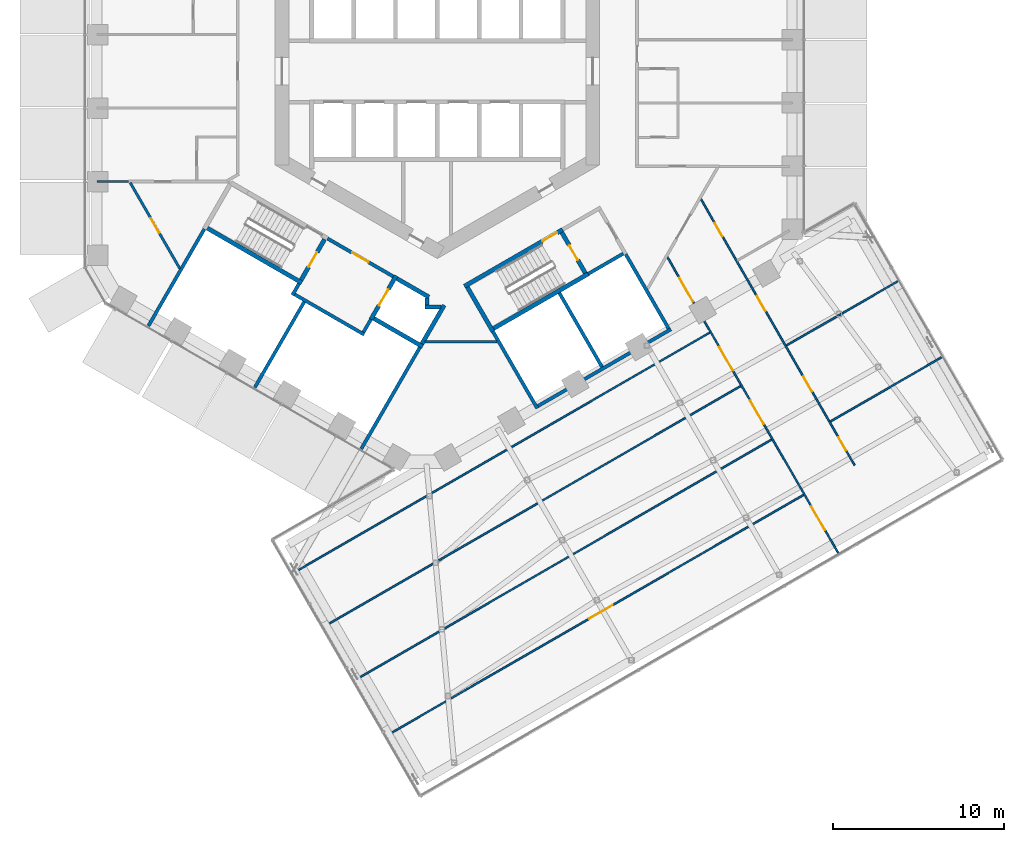
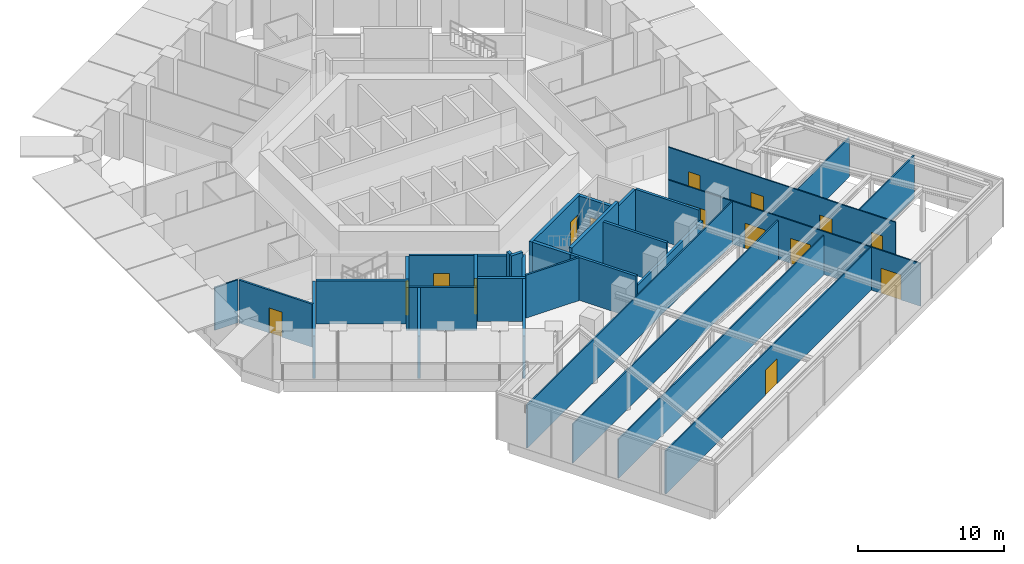
# One storey, part 17 of 28: 35 walls, 15 doors, 15 openings.
"""IFC4 building model written with IfcOpenShell, lengths in metres."""

from ifc_helpers import new_model, si_unit, direction, frame, frame_2d, origin, place, context, subcontext, project, spatial, rectangle, extrude, material, layer, layer_set, type_object, element, fill, save


model = new_model("IFC4")

# Units and contexts
model_context = context("Model", 3, precision=1e-05, world=origin(), true_north=direction((0.0, 1.0)))
body_context = subcontext(model_context, "Body", "Model", "MODEL_VIEW")
ifc_project = project(units=[si_unit("LENGTHUNIT", "METRE"), si_unit("AREAUNIT", "SQUARE_METRE"), si_unit("VOLUMEUNIT", "CUBIC_METRE"), si_unit("PLANEANGLEUNIT", "RADIAN"), si_unit("MASSUNIT", "GRAM", prefix="KILO")], contexts=[model_context])

# Site, building, storey
site_placement = place(None, origin())
site = spatial("IfcSite", under=ifc_project, at=site_placement, CompositionType="ELEMENT")
building_placement = place(site_placement, origin())
building = spatial("IfcBuilding", under=site, at=building_placement, Name="Ayvan Gate Tower", CompositionType="ELEMENT")
storey_placement = place(building_placement, frame((0.0, 0.0, 74.300048828125)))
storey = spatial("IfcBuildingStorey", under=building, at=storey_placement, Name="L19", CompositionType="ELEMENT", Elevation=74.300048828125)

# Wall, opening, door
ifc_material_1 = material(Name="Plasterboard on steel stud", Category="steel")
ifc_layer_1 = layer(ifc_material_1, 0.14990234375)
ifc_layer_set_1 = layer_set([ifc_layer_1], Name="Plasterboard on steel stud")
wall_type_1 = type_object("IfcWallType", Name="WT-CORR-150", PredefinedType="PARTITIONING", material=ifc_layer_set_1)
wall_1_placement = place(storey_placement, frame((-15.086669921875, -11.5576171875, 0.0), z_axis=(0.0, 0.0, 1.0), x_axis=(-0.499958648831, 0.866049276577, 0.0)))
wall_1 = element("IfcWall", 1, at=wall_1_placement, inside=storey, type_object=wall_type_1, Name="IW-L19-006", PredefinedType="PARTITIONING", context=body_context, shape_type="SweptSolid", body=[
    extrude(rectangle(XDim=5.81591796875, YDim=0.14990234375, at=frame_2d((2.907958984375, 0.0))), origin(), (0.0, 0.0, 1.0), 3.599853515625),
])
opening_1_placement = place(wall_1_placement, frame((2.407958984375, 0.0, 0.0)))
opening_1 = element("IfcOpeningElement", 2, at=opening_1_placement, cuts=wall_1, Name="Opening L19-D31", PredefinedType="OPENING", context=body_context, shape_type="SweptSolid", body=[
    extrude(rectangle(XDim=1.0, YDim=2.10009765625, at=frame_2d((0.5, 1.050048828125))), frame((0.0, 0.0849609375, 0.0), z_axis=(0.0, -1.0, 0.0), x_axis=(1.0, 0.0, 0.0)), (0.0, 0.0, 1.0), 0.169921875),
])
ifc_material_2 = material(Name="Timber door leaf", Category="wood")
door_type_1 = type_object("IfcDoorType", Name="DT-1000", OperationType="NOTDEFINED", PredefinedType="DOOR", material=ifc_material_2)
door_1_placement = place(opening_1_placement, origin())
door_1 = element("IfcDoor", 3, at=door_1_placement, inside=storey, type_object=door_type_1, Name="ID-L19-031", OperationType="SINGLE_SWING_RIGHT", OverallHeight=2.10009765625, OverallWidth=1.0, PredefinedType="DOOR", context=body_context, shape_type="SweptSolid", body=[
    extrude(rectangle(XDim=1.0, YDim=2.10009765625, at=frame_2d((0.5, 1.050048828125))), frame((0.0, 0.02490234375, 0.0), z_axis=(0.0, -1.0, 0.0), x_axis=(1.0, 0.0, 0.0)), (0.0, 0.0, 1.0), 0.050048828125),
])
fill(opening_1, door_1)

# Walls
wall_2_placement = place(storey_placement, frame((3.5048828125, -15.843994140625, 0.0), z_axis=(0.0, 0.0, 1.0), x_axis=(-1.0, 0.0, 0.0)))
element("IfcWall", 4, at=wall_2_placement, inside=storey, type_object=wall_type_1, Name="IW-L19-081", PredefinedType="PARTITIONING", context=body_context, shape_type="SweptSolid", body=[
    extrude(rectangle(XDim=4.213623046875, YDim=0.14990234375, at=frame_2d((2.10693359375, 0.0))), origin(), (0.0, 0.0, 1.0), 3.599853515625),
])
ifc_layer_2 = layer(ifc_material_1, 0.10009765625)
ifc_layer_set_2 = layer_set([ifc_layer_2], Name="Plasterboard on steel stud")
wall_type_2 = type_object("IfcWallType", Name="WT-PART-100", PredefinedType="PARTITIONING", material=ifc_layer_set_2)
wall_3_placement = place(storey_placement, frame((-18.10693359375, -6.455810546875, 0.0), z_axis=(0.0, 0.0, 1.0), x_axis=(-1.0, 0.0, 0.0)))
element("IfcWall", 5, at=wall_3_placement, inside=storey, type_object=wall_type_2, Name="IW-L19-002", PredefinedType="PARTITIONING", context=body_context, shape_type="SweptSolid", body=[
    extrude(rectangle(XDim=1.825927734375, YDim=0.10009765625, at=frame_2d((0.9130859375, 0.0))), origin(), (0.0, 0.0, 1.0), 3.599853515625),
])

# Wall, opening, door
wall_4_placement = place(storey_placement, frame((-2.93798828125, -38.903564453125, 0.0), z_axis=(0.0, 0.0, 1.0), x_axis=(0.866026157323, 0.49999869483, 0.0)))
wall_4 = element("IfcWall", 6, at=wall_4_placement, inside=storey, type_object=wall_type_2, Name="IW-L19-055", PredefinedType="PARTITIONING", context=body_context, shape_type="SweptSolid", body=[
    extrude(rectangle(XDim=28.1787109375, YDim=0.10009765625, at=frame_2d((14.08935546875, 0.0))), origin(), (0.0, 0.0, 1.0), 3.599853515625),
])
opening_2_placement = place(wall_4_placement, frame((13.662353515625, 0.0, 0.0)))
opening_2 = element("IfcOpeningElement", 7, at=opening_2_placement, cuts=wall_4, Name="Opening L19-D42", PredefinedType="OPENING", context=body_context, shape_type="SweptSolid", body=[
    extrude(rectangle(XDim=1.60009765625, YDim=2.10009765625, at=frame_2d((0.800048828125, 1.050048828125))), frame((0.0, 0.06005859375, 0.0), z_axis=(0.0, -1.0, 0.0), x_axis=(1.0, 0.0, 0.0)), (0.0, 0.0, 1.0), 0.1201171875),
])
door_type_2 = type_object("IfcDoorType", Name="DT-1600", OperationType="NOTDEFINED", PredefinedType="DOOR", material=ifc_material_2)
door_2_placement = place(opening_2_placement, origin())
door_2 = element("IfcDoor", 8, at=door_2_placement, inside=storey, type_object=door_type_2, Name="ID-L19-042", OperationType="SINGLE_SWING_LEFT", OverallHeight=2.10009765625, OverallWidth=1.60009765625, PredefinedType="DOOR", context=body_context, shape_type="SweptSolid", body=[
    extrude(rectangle(XDim=1.60009765625, YDim=2.10009765625, at=frame_2d((0.800048828125, 1.050048828125))), frame((0.0, 0.02490234375, 0.0), z_axis=(0.0, -1.0, 0.0), x_axis=(1.0, 0.0, 0.0)), (0.0, 0.0, 1.0), 0.050048828125),
])
fill(opening_2, door_2)

# Wall, openings, doors
wall_5_placement = place(storey_placement, frame((15.439453125, -7.476318359375, 0.0), z_axis=(0.0, 0.0, 1.0), x_axis=(0.499994416698, -0.866028627281, 0.0)))
wall_5 = element("IfcWall", 9, at=wall_5_placement, inside=storey, type_object=wall_type_2, Name="IW-L19-117", PredefinedType="PARTITIONING", context=body_context, shape_type="SweptSolid", body=[
    extrude(rectangle(XDim=18.028076171875, YDim=0.10009765625, at=frame_2d((9.01416015625, 0.0))), origin(), (0.0, 0.0, 1.0), 3.599853515625),
])
opening_3_placement = place(wall_5_placement, frame((1.6328125, 0.0, 0.0)))
opening_3 = element("IfcOpeningElement", 10, at=opening_3_placement, cuts=wall_5, Name="Opening L19-D43", PredefinedType="OPENING", context=body_context, shape_type="SweptSolid", body=[
    extrude(rectangle(XDim=0.89990234375, YDim=2.10009765625, at=frame_2d((0.449951171875, 1.050048828125))), frame((0.0, 0.06005859375, 0.0), z_axis=(0.0, -1.0, 0.0), x_axis=(1.0, 0.0, 0.0)), (0.0, 0.0, 1.0), 0.1201171875),
])
opening_4_placement = place(wall_5_placement, frame((6.572021484375, 0.0, 0.0)))
opening_4 = element("IfcOpeningElement", 11, at=opening_4_placement, cuts=wall_5, Name="Opening L19-D44", PredefinedType="OPENING", context=body_context, shape_type="SweptSolid", body=[
    extrude(rectangle(XDim=1.0, YDim=2.10009765625, at=frame_2d((0.5, 1.050048828125))), frame((0.0, 0.06005859375, 0.0), z_axis=(0.0, -1.0, 0.0), x_axis=(1.0, 0.0, 0.0)), (0.0, 0.0, 1.0), 0.1201171875),
])
opening_5_placement = place(wall_5_placement, frame((12.02001953125, 0.0, 0.0)))
opening_5 = element("IfcOpeningElement", 12, at=opening_5_placement, cuts=wall_5, Name="Opening L19-D45", PredefinedType="OPENING", context=body_context, shape_type="SweptSolid", body=[
    extrude(rectangle(XDim=1.0, YDim=2.10009765625, at=frame_2d((0.5, 1.050048828125))), frame((0.0, 0.06005859375, 0.0), z_axis=(0.0, -1.0, 0.0), x_axis=(1.0, 0.0, 0.0)), (0.0, 0.0, 1.0), 0.1201171875),
])
opening_6_placement = place(wall_5_placement, frame((16.124755859375, 0.0, 0.0)))
opening_6 = element("IfcOpeningElement", 13, at=opening_6_placement, cuts=wall_5, Name="Opening L19-D46", PredefinedType="OPENING", context=body_context, shape_type="SweptSolid", body=[
    extrude(rectangle(XDim=0.89990234375, YDim=2.10009765625, at=frame_2d((0.449951171875, 1.050048828125))), frame((0.0, 0.06005859375, 0.0), z_axis=(0.0, -1.0, 0.0), x_axis=(1.0, 0.0, 0.0)), (0.0, 0.0, 1.0), 0.1201171875),
])
door_3_placement = place(opening_4_placement, origin())
door_3 = element("IfcDoor", 14, at=door_3_placement, inside=storey, type_object=door_type_1, Name="ID-L19-044", OperationType="SINGLE_SWING_LEFT", OverallHeight=2.10009765625, OverallWidth=1.0, PredefinedType="DOOR", context=body_context, shape_type="SweptSolid", body=[
    extrude(rectangle(XDim=1.0, YDim=2.10009765625, at=frame_2d((0.5, 1.050048828125))), frame((0.0, 0.02490234375, 0.0), z_axis=(0.0, -1.0, 0.0), x_axis=(1.0, 0.0, 0.0)), (0.0, 0.0, 1.0), 0.050048828125),
])
fill(opening_4, door_3)
door_4_placement = place(opening_5_placement, origin())
door_4 = element("IfcDoor", 15, at=door_4_placement, inside=storey, type_object=door_type_1, Name="ID-L19-045", OperationType="SINGLE_SWING_RIGHT", OverallHeight=2.10009765625, OverallWidth=1.0, PredefinedType="DOOR", context=body_context, shape_type="SweptSolid", body=[
    extrude(rectangle(XDim=1.0, YDim=2.10009765625, at=frame_2d((0.5, 1.050048828125))), frame((0.0, 0.02490234375, 0.0), z_axis=(0.0, -1.0, 0.0), x_axis=(1.0, 0.0, 0.0)), (0.0, 0.0, 1.0), 0.050048828125),
])
fill(opening_5, door_4)
door_type_3 = type_object("IfcDoorType", Name="DT-900", OperationType="NOTDEFINED", PredefinedType="DOOR", material=ifc_material_2)
door_5_placement = place(opening_3_placement, origin())
door_5 = element("IfcDoor", 16, at=door_5_placement, inside=storey, type_object=door_type_3, Name="ID-L19-043", OperationType="SINGLE_SWING_RIGHT", OverallHeight=2.10009765625, OverallWidth=0.89990234375, PredefinedType="DOOR", context=body_context, shape_type="SweptSolid", body=[
    extrude(rectangle(XDim=0.89990234375, YDim=2.10009765625, at=frame_2d((0.449951171875, 1.050048828125))), frame((0.0, 0.02490234375, 0.0), z_axis=(0.0, -1.0, 0.0), x_axis=(1.0, 0.0, 0.0)), (0.0, 0.0, 1.0), 0.050048828125),
])
fill(opening_3, door_5)
door_6_placement = place(opening_6_placement, origin())
door_6 = element("IfcDoor", 17, at=door_6_placement, inside=storey, type_object=door_type_3, Name="ID-L19-046", OperationType="SINGLE_SWING_LEFT", OverallHeight=2.10009765625, OverallWidth=0.89990234375, PredefinedType="DOOR", context=body_context, shape_type="SweptSolid", body=[
    extrude(rectangle(XDim=0.89990234375, YDim=2.10009765625, at=frame_2d((0.449951171875, 1.050048828125))), frame((0.0, 0.02490234375, 0.0), z_axis=(0.0, -1.0, 0.0), x_axis=(1.0, 0.0, 0.0)), (0.0, 0.0, 1.0), 0.050048828125),
])
fill(opening_6, door_6)

# Wall
wall_6_placement = place(storey_placement, frame((15.973876953125, -15.302001953125, 0.0), z_axis=(0.0, 0.0, 1.0), x_axis=(-0.866022405705, -0.500005192789, 0.0)))
element("IfcWall", 18, at=wall_6_placement, inside=storey, type_object=wall_type_2, Name="IW-L19-121", PredefinedType="PARTITIONING", context=body_context, shape_type="SweptSolid", body=[
    extrude(rectangle(XDim=28.178955078125, YDim=0.10009765625, at=frame_2d((14.08935546875, 0.0))), origin(), (0.0, 0.0, 1.0), 3.599853515625),
])

# Wall, openings, doors
wall_7_placement = place(storey_placement, frame((13.476318359375, -10.87646484375, 0.0), z_axis=(0.0, 0.0, 1.0), x_axis=(0.500008654708, -0.866020406929, 0.0)))
wall_7 = element("IfcWall", 19, at=wall_7_placement, inside=storey, type_object=wall_type_2, Name="IW-L19-122", PredefinedType="PARTITIONING", context=body_context, shape_type="SweptSolid", body=[
    extrude(rectangle(XDim=20.010986328125, YDim=0.10009765625, at=frame_2d((10.00537109375, 0.0))), origin(), (0.0, 0.0, 1.0), 3.599853515625),
])
opening_7_placement = place(wall_7_placement, frame((16.8798828125, 0.0, 0.0)))
opening_7 = element("IfcOpeningElement", 20, at=opening_7_placement, cuts=wall_7, Name="Opening L19-D38", PredefinedType="OPENING", context=body_context, shape_type="SweptSolid", body=[
    extrude(rectangle(XDim=1.60009765625, YDim=2.10009765625, at=frame_2d((0.800048828125, 1.050048828125))), frame((0.0, 0.06005859375, 0.0), z_axis=(0.0, -1.0, 0.0), x_axis=(1.0, 0.0, 0.0)), (0.0, 0.0, 1.0), 0.1201171875),
])
opening_8_placement = place(wall_7_placement, frame((1.42578125, 0.0, 0.0)))
opening_8 = element("IfcOpeningElement", 21, at=opening_8_placement, cuts=wall_7, Name="Opening L19-D39", PredefinedType="OPENING", context=body_context, shape_type="SweptSolid", body=[
    extrude(rectangle(XDim=1.60009765625, YDim=2.10009765625, at=frame_2d((0.800048828125, 1.050048828125))), frame((0.0, 0.06005859375, 0.0), z_axis=(0.0, -1.0, 0.0), x_axis=(1.0, 0.0, 0.0)), (0.0, 0.0, 1.0), 0.1201171875),
])
opening_9_placement = place(wall_7_placement, frame((6.092041015625, 0.0, 0.0)))
opening_9 = element("IfcOpeningElement", 22, at=opening_9_placement, cuts=wall_7, Name="Opening L19-D40", PredefinedType="OPENING", context=body_context, shape_type="SweptSolid", body=[
    extrude(rectangle(XDim=1.60009765625, YDim=2.10009765625, at=frame_2d((0.800048828125, 1.050048828125))), frame((0.0, 0.06005859375, 0.0), z_axis=(0.0, -1.0, 0.0), x_axis=(1.0, 0.0, 0.0)), (0.0, 0.0, 1.0), 0.1201171875),
])
opening_10_placement = place(wall_7_placement, frame((9.712890625, 0.0, 0.0)))
opening_10 = element("IfcOpeningElement", 23, at=opening_10_placement, cuts=wall_7, Name="Opening L19-D41", PredefinedType="OPENING", context=body_context, shape_type="SweptSolid", body=[
    extrude(rectangle(XDim=1.60009765625, YDim=2.10009765625, at=frame_2d((0.800048828125, 1.050048828125))), frame((0.0, 0.06005859375, 0.0), z_axis=(0.0, -1.0, 0.0), x_axis=(1.0, 0.0, 0.0)), (0.0, 0.0, 1.0), 0.1201171875),
])
door_7_placement = place(opening_7_placement, origin())
door_7 = element("IfcDoor", 24, at=door_7_placement, inside=storey, type_object=door_type_2, Name="ID-L19-038", OperationType="SINGLE_SWING_LEFT", OverallHeight=2.10009765625, OverallWidth=1.60009765625, PredefinedType="DOOR", context=body_context, shape_type="SweptSolid", body=[
    extrude(rectangle(XDim=1.60009765625, YDim=2.10009765625, at=frame_2d((0.800048828125, 1.050048828125))), frame((0.0, 0.02490234375, 0.0), z_axis=(0.0, -1.0, 0.0), x_axis=(1.0, 0.0, 0.0)), (0.0, 0.0, 1.0), 0.050048828125),
])
fill(opening_7, door_7)
door_8_placement = place(opening_8_placement, origin())
door_8 = element("IfcDoor", 25, at=door_8_placement, inside=storey, type_object=door_type_2, Name="ID-L19-039", OperationType="SINGLE_SWING_RIGHT", OverallHeight=2.10009765625, OverallWidth=1.60009765625, PredefinedType="DOOR", context=body_context, shape_type="SweptSolid", body=[
    extrude(rectangle(XDim=1.60009765625, YDim=2.10009765625, at=frame_2d((0.800048828125, 1.050048828125))), frame((0.0, 0.02490234375, 0.0), z_axis=(0.0, -1.0, 0.0), x_axis=(1.0, 0.0, 0.0)), (0.0, 0.0, 1.0), 0.050048828125),
])
fill(opening_8, door_8)
door_9_placement = place(opening_9_placement, origin())
door_9 = element("IfcDoor", 26, at=door_9_placement, inside=storey, type_object=door_type_2, Name="ID-L19-040", OperationType="SINGLE_SWING_LEFT", OverallHeight=2.10009765625, OverallWidth=1.60009765625, PredefinedType="DOOR", context=body_context, shape_type="SweptSolid", body=[
    extrude(rectangle(XDim=1.60009765625, YDim=2.10009765625, at=frame_2d((0.800048828125, 1.050048828125))), frame((0.0, 0.02490234375, 0.0), z_axis=(0.0, -1.0, 0.0), x_axis=(1.0, 0.0, 0.0)), (0.0, 0.0, 1.0), 0.050048828125),
])
fill(opening_9, door_9)
door_10_placement = place(opening_10_placement, origin())
door_10 = element("IfcDoor", 27, at=door_10_placement, inside=storey, type_object=door_type_2, Name="ID-L19-041", OperationType="SINGLE_SWING_RIGHT", OverallHeight=2.10009765625, OverallWidth=1.60009765625, PredefinedType="DOOR", context=body_context, shape_type="SweptSolid", body=[
    extrude(rectangle(XDim=1.60009765625, YDim=2.10009765625, at=frame_2d((0.800048828125, 1.050048828125))), frame((0.0, 0.02490234375, 0.0), z_axis=(0.0, -1.0, 0.0), x_axis=(1.0, 0.0, 0.0)), (0.0, 0.0, 1.0), 0.050048828125),
])
fill(opening_10, door_10)

# Walls
for number, where, z_axis, x_axis, name in (
    (28, (17.7841796875, -18.43798828125, 0.0), (0.0, 0.0, 1.0), (-0.866027742962, -0.499995948403, 0.0), "IW-L19-123"),
    (29, (19.5947265625, -21.57373046875, 0.0), (0.0, 0.0, 1.0), (-0.866023991313, -0.500002446463, 0.0), "IW-L19-126"),
):
    element("IfcWall", number, at=place(storey_placement, frame(where, z_axis=z_axis, x_axis=x_axis)), inside=storey, type_object=wall_type_2, Name=name, PredefinedType="PARTITIONING", context=body_context, shape_type="SweptSolid", body=[
        extrude(rectangle(XDim=28.178466796875, YDim=0.10009765625, at=frame_2d((14.08935546875, 0.0))), origin(), (0.0, 0.0, 1.0), 3.27490234375),
    ])
wall_8_placement = place(storey_placement, frame((26.963623046875, -12.310302734375, 0.0), z_axis=(0.0, 0.0, 1.0), x_axis=(-0.866032992878, -0.499986855073, 0.0)))
element("IfcWall", 30, at=wall_8_placement, inside=storey, type_object=wall_type_2, Name="IW-L19-129", PredefinedType="PARTITIONING", context=body_context, shape_type="SweptSolid", body=[
    extrude(rectangle(XDim=7.513427734375, YDim=0.10009765625, at=frame_2d((3.7568359375, 0.0))), origin(), (0.0, 0.0, 1.0), 3.27490234375),
])
wall_9_placement = place(storey_placement, frame((29.53515625, -16.764404296875, 0.0), z_axis=(0.0, 0.0, 1.0), x_axis=(-0.866032992878, -0.499986855073, 0.0)))
element("IfcWall", 31, at=wall_9_placement, inside=storey, type_object=wall_type_2, Name="IW-L19-130", PredefinedType="PARTITIONING", context=body_context, shape_type="SweptSolid", body=[
    extrude(rectangle(XDim=7.513427734375, YDim=0.10009765625, at=frame_2d((3.7568359375, 0.0))), origin(), (0.0, 0.0, 1.0), 3.599853515625),
])
ifc_layer_3 = layer(ifc_material_1, 0.199951171875)
ifc_layer_set_3 = layer_set([ifc_layer_3], Name="Plasterboard on steel stud")
wall_type_3 = type_object("IfcWallType", Name="WT-PLUMB-200", PredefinedType="PLUMBINGWALL", material=ifc_layer_set_3)
wall_10_placement = place(storey_placement, frame((-16.92578125, -14.916259765625, 0.0), z_axis=(0.0, 0.0, 1.0), x_axis=(0.499992165211, 0.866029927155, 0.0)))
element("IfcWall", 32, at=wall_10_placement, inside=storey, type_object=wall_type_3, Name="IW-L19-004", PredefinedType="PLUMBINGWALL", context=body_context, shape_type="SweptSolid", body=[
    extrude(rectangle(XDim=6.5556640625, YDim=0.199951171875, at=frame_2d((3.27783203125, 0.0))), origin(), (0.0, 0.0, 1.0), 3.599853515625),
])
wall_11_placement = place(storey_placement, frame((-8.492919921875, -13.110107421875, 0.0), z_axis=(0.0, 0.0, 1.0), x_axis=(0.500067724834, 0.865986299303, 0.0)))
element("IfcWall", 33, at=wall_11_placement, inside=storey, type_object=wall_type_3, Name="IW-L19-027", PredefinedType="PLUMBINGWALL", context=body_context, shape_type="SweptSolid", body=[
    extrude(rectangle(XDim=0.775390625, YDim=0.199951171875, at=frame_2d((0.3876953125, 0.0))), origin(), (0.0, 0.0, 1.0), 3.599853515625),
])
wall_12_placement = place(storey_placement, frame((-7.800048828125, -13.510009765625, 0.0), z_axis=(0.0, 0.0, 1.0), x_axis=(-0.499982030767, -0.866035778077, 0.0)))
element("IfcWall", 34, at=wall_12_placement, inside=storey, type_object=wall_type_3, Name="IW-L19-029", PredefinedType="PLUMBINGWALL", context=body_context, shape_type="SweptSolid", body=[
    extrude(rectangle(XDim=5.780517578125, YDim=0.199951171875, at=frame_2d((2.89013671875, 0.0))), origin(), (0.0, 0.0, 1.0), 3.599853515625),
])
wall_13_placement = place(storey_placement, frame((-8.356201171875, -13.073486328125, 0.0), z_axis=(0.0, 0.0, 1.0), x_axis=(0.866038532462, -0.499977259774, 0.0)))
element("IfcWall", 35, at=wall_13_placement, inside=storey, type_object=wall_type_3, Name="IW-L19-030", PredefinedType="PLUMBINGWALL", context=body_context, shape_type="SweptSolid", body=[
    extrude(rectangle(XDim=4.699951171875, YDim=0.199951171875, at=frame_2d((2.35009765625, 0.0))), origin(), (0.0, 0.0, 1.0), 3.599853515625),
])
wall_14_placement = place(storey_placement, frame((-3.885009765625, -14.52880859375, 0.0), z_axis=(0.0, 0.0, 1.0), x_axis=(-0.499859285417, -0.866106630146, 0.0)))
element("IfcWall", 36, at=wall_14_placement, inside=storey, type_object=wall_type_3, Name="IW-L19-046", PredefinedType="PLUMBINGWALL", context=body_context, shape_type="SweptSolid", body=[
    extrude(rectangle(XDim=0.875244140625, YDim=0.199951171875, at=frame_2d((0.4375, 0.0))), origin(), (0.0, 0.0, 1.0), 3.599853515625),
])
wall_15_placement = place(storey_placement, frame((-1.027099609375, -16.178955078125, 0.0), z_axis=(0.0, 0.0, 1.0), x_axis=(-0.499984476993, -0.866034365811, 0.0)))
element("IfcWall", 37, at=wall_15_placement, inside=storey, type_object=wall_type_3, Name="IW-L19-059", PredefinedType="PLUMBINGWALL", context=body_context, shape_type="SweptSolid", body=[
    extrude(rectangle(XDim=6.855712890625, YDim=0.199951171875, at=frame_2d((3.427734375, 0.0))), origin(), (0.0, 0.0, 1.0), 3.599853515625),
])
wall_16_placement = place(storey_placement, frame((3.255615234375, -15.23876953125, 0.0), z_axis=(0.0, 0.0, 1.0), x_axis=(0.500021393879, -0.866013051671, 0.0)))
element("IfcWall", 38, at=wall_16_placement, inside=storey, type_object=wall_type_3, Name="IW-L19-082", PredefinedType="PLUMBINGWALL", context=body_context, shape_type="SweptSolid", body=[
    extrude(rectangle(XDim=5.207763671875, YDim=0.199951171875, at=frame_2d((2.60400390625, 0.0))), origin(), (0.0, 0.0, 1.0), 3.599853515625),
])
wall_17_placement = place(storey_placement, frame((7.152587890625, -12.98876953125, 0.0), z_axis=(0.0, 0.0, 1.0), x_axis=(0.499998165157, -0.866026463129, 0.0)))
element("IfcWall", 39, at=wall_17_placement, inside=storey, type_object=wall_type_3, Name="IW-L19-089", PredefinedType="PLUMBINGWALL", context=body_context, shape_type="SweptSolid", body=[
    extrude(rectangle(XDim=5.0078125, YDim=0.199951171875, at=frame_2d((2.50390625, 0.0))), origin(), (0.0, 0.0, 1.0), 3.599853515625),
])
wall_18_placement = place(storey_placement, frame((5.89599609375, -19.6123046875, 0.0), z_axis=(0.0, 0.0, 1.0), x_axis=(0.866024315419, 0.5000018851, 0.0)))
element("IfcWall", 40, at=wall_18_placement, inside=storey, type_object=wall_type_3, Name="IW-L19-101", PredefinedType="PLUMBINGWALL", context=body_context, shape_type="SweptSolid", body=[
    extrude(rectangle(XDim=9.0, YDim=0.199951171875, at=frame_2d((4.5, 0.0))), origin(), (0.0, 0.0, 1.0), 2.675048828125),
])
wall_19_placement = place(storey_placement, frame((10.900634765625, -10.6806640625, 0.0), z_axis=(0.0, 0.0, 1.0), x_axis=(-0.866007538022, -0.500030943131, 0.0)))
element("IfcWall", 41, at=wall_19_placement, inside=storey, type_object=wall_type_3, Name="IW-L19-102", PredefinedType="PLUMBINGWALL", context=body_context, shape_type="SweptSolid", body=[
    extrude(rectangle(XDim=2.374755859375, YDim=0.199951171875, at=frame_2d((1.1875, 0.0))), origin(), (0.0, 0.0, 1.0), 3.599853515625),
])
wall_20_placement = place(storey_placement, frame((11.037353515625, -10.71728515625, 0.0), z_axis=(0.0, 0.0, 1.0), x_axis=(0.500005202617, -0.866022400031, 0.0)))
element("IfcWall", 42, at=wall_20_placement, inside=storey, type_object=wall_type_3, Name="IW-L19-103", PredefinedType="PLUMBINGWALL", context=body_context, shape_type="SweptSolid", body=[
    extrude(rectangle(XDim=5.03271484375, YDim=0.199951171875, at=frame_2d((2.516357421875, 0.0))), origin(), (0.0, 0.0, 1.0), 3.599853515625),
])

# Wall, opening, door
ifc_layer_4 = layer(ifc_material_1, 0.199951171875)
ifc_layer_set_4 = layer_set([ifc_layer_4], Name="Plasterboard on steel stud")
wall_type_4 = type_object("IfcWallType", Name="WT-RATED-200", PredefinedType="PARTITIONING", material=ifc_layer_set_4)
wall_21_placement = place(storey_placement, frame((-6.4345703125, -9.794921875, 0.0), z_axis=(0.0, 0.0, 1.0), x_axis=(0.866012907634, -0.500021643343, 0.0)))
wall_21 = element("IfcWall", 43, at=wall_21_placement, inside=storey, type_object=wall_type_4, Name="IW-L19-039", PredefinedType="PARTITIONING", context=body_context, shape_type="SweptSolid", body=[
    extrude(rectangle(XDim=4.449951171875, YDim=0.199951171875, at=frame_2d((2.22509765625, 0.0))), origin(), (0.0, 0.0, 1.0), 3.599853515625),
])
opening_11_placement = place(wall_21_placement, frame((1.675048828125, 0.0, 0.0)))
opening_11 = element("IfcOpeningElement", 44, at=opening_11_placement, cuts=wall_21, Name="Opening L19-D12", PredefinedType="OPENING", context=body_context, shape_type="SweptSolid", body=[
    extrude(rectangle(XDim=1.10009765625, YDim=2.10009765625, at=frame_2d((0.550048828125, 1.050048828125))), frame((0.0, 0.10986328125, 0.0), z_axis=(0.0, -1.0, 0.0), x_axis=(1.0, 0.0, 0.0)), (0.0, 0.0, 1.0), 0.219970703125),
])
door_type_4 = type_object("IfcDoorType", Name="DT-1100", OperationType="NOTDEFINED", PredefinedType="DOOR", material=ifc_material_2)
door_11_placement = place(opening_11_placement, origin())
door_11 = element("IfcDoor", 45, at=door_11_placement, inside=storey, type_object=door_type_4, Name="ID-L19-012", OperationType="SINGLE_SWING_LEFT", OverallHeight=2.10009765625, OverallWidth=1.10009765625, PredefinedType="DOOR", context=body_context, shape_type="SweptSolid", body=[
    extrude(rectangle(XDim=1.10009765625, YDim=2.10009765625, at=frame_2d((0.550048828125, 1.050048828125))), frame((0.0, 0.02490234375, 0.0), z_axis=(0.0, -1.0, 0.0), x_axis=(1.0, 0.0, 0.0)), (0.0, 0.0, 1.0), 0.050048828125),
])
fill(opening_11, door_11)

# Wall
ifc_material_3 = material(Name="Concrete C50/60", Category="concrete")
ifc_layer_5 = layer(ifc_material_3, 0.25)
ifc_layer_set_5 = layer_set([ifc_layer_5], Name="Concrete C50/60")
wall_type_5 = type_object("IfcWallType", Name="WT-RC-250", PredefinedType="SHEAR", material=ifc_layer_set_5)
wall_22_placement = place(storey_placement, frame((-7.9345703125, -12.39306640625, 0.0), z_axis=(0.0, 0.0, 1.0), x_axis=(-0.866025499775, 0.499999833739, 0.0)))
element("IfcWall", 46, at=wall_22_placement, inside=storey, type_object=wall_type_5, Name="IW-L19-028", PredefinedType="SHEAR", context=body_context, shape_type="SweptSolid", body=[
    extrude(rectangle(XDim=6.39990234375, YDim=0.25, at=frame_2d((3.199951171875, 0.0))), origin(), (0.0, 0.0, 1.0), 3.599853515625),
])

# Wall, opening, door
wall_23_placement = place(storey_placement, frame((-6.605224609375, -9.8408203125, 0.0), z_axis=(0.0, 0.0, 1.0), x_axis=(-0.499996545922, -0.866027397988, 0.0)))
wall_23 = element("IfcWall", 47, at=wall_23_placement, inside=storey, type_object=wall_type_5, Name="IW-L19-038", PredefinedType="SHEAR", context=body_context, shape_type="SweptSolid", body=[
    extrude(rectangle(XDim=2.75, YDim=0.25, at=frame_2d((1.375, 0.0))), origin(), (0.0, 0.0, 1.0), 3.599853515625),
])
opening_12_placement = place(wall_23_placement, frame((0.875, 0.0, 0.0)))
opening_12 = element("IfcOpeningElement", 48, at=opening_12_placement, cuts=wall_23, Name="Opening L19-D11", PredefinedType="OPENING", context=body_context, shape_type="SweptSolid", body=[
    extrude(rectangle(XDim=1.0, YDim=2.10009765625, at=frame_2d((0.5, 1.050048828125))), frame((0.0, 0.135009765625, 0.0), z_axis=(0.0, -1.0, 0.0), x_axis=(1.0, 0.0, 0.0)), (0.0, 0.0, 1.0), 0.27001953125),
])
door_12_placement = place(opening_12_placement, origin())
door_12 = element("IfcDoor", 49, at=door_12_placement, inside=storey, type_object=door_type_1, Name="ID-L19-011", OperationType="SINGLE_SWING_RIGHT", OverallHeight=2.10009765625, OverallWidth=1.0, PredefinedType="DOOR", context=body_context, shape_type="SweptSolid", body=[
    extrude(rectangle(XDim=1.0, YDim=2.10009765625, at=frame_2d((0.5, 1.050048828125))), frame((0.0, 0.02490234375, 0.0), z_axis=(0.0, -1.0, 0.0), x_axis=(1.0, 0.0, 0.0)), (0.0, 0.0, 1.0), 0.050048828125),
])
fill(opening_12, door_12)

wall_24_placement = place(storey_placement, frame((-2.409912109375, -11.97412109375, 0.0), z_axis=(0.0, 0.0, 1.0), x_axis=(-0.500001826776, -0.866024349092, 0.0)))
wall_24 = element("IfcWall", 50, at=wall_24_placement, inside=storey, type_object=wall_type_5, Name="IW-L19-051", PredefinedType="SHEAR", context=body_context, shape_type="SweptSolid", body=[
    extrude(rectangle(XDim=2.9501953125, YDim=0.25, at=frame_2d((1.47509765625, 0.0))), origin(), (0.0, 0.0, 1.0), 3.599853515625),
])
opening_13_placement = place(wall_24_placement, frame((0.925048828125, 0.0, 0.0)))
opening_13 = element("IfcOpeningElement", 51, at=opening_13_placement, cuts=wall_24, Name="Opening L19-LD-FF2", PredefinedType="OPENING", context=body_context, shape_type="SweptSolid", body=[
    extrude(rectangle(XDim=1.10009765625, YDim=2.10009765625, at=frame_2d((0.550048828125, 1.050048828125))), frame((0.0, 0.135009765625, 0.0), z_axis=(0.0, -1.0, 0.0), x_axis=(1.0, 0.0, 0.0)), (0.0, 0.0, 1.0), 0.27001953125),
])
ifc_material_4 = material(Name="Stainless steel landing door", Category="steel")
door_type_5 = type_object("IfcDoorType", Name="DT-LANDING-1100", OperationType="SLIDING_TO_LEFT", PredefinedType="DOOR", material=ifc_material_4)
door_13_placement = place(opening_13_placement, origin())
door_13 = element("IfcDoor", 52, at=door_13_placement, inside=storey, type_object=door_type_5, Name="ID-L19-013", OperationType="SLIDING_TO_LEFT", OverallHeight=2.10009765625, OverallWidth=1.10009765625, PredefinedType="DOOR", context=body_context, shape_type="SweptSolid", body=[
    extrude(rectangle(XDim=1.10009765625, YDim=2.10009765625, at=frame_2d((0.550048828125, 1.050048828125))), frame((0.0, 0.02490234375, 0.0), z_axis=(0.0, -1.0, 0.0), x_axis=(1.0, 0.0, 0.0)), (0.0, 0.0, 1.0), 0.050048828125),
])
fill(opening_13, door_13)

# Walls
wall_25_placement = place(storey_placement, frame((-2.3642578125, -12.14501953125, 0.0), z_axis=(0.0, 0.0, 1.0), x_axis=(0.86603892542, -0.499976579108, 0.0)))
element("IfcWall", 53, at=wall_25_placement, inside=storey, type_object=wall_type_5, Name="IW-L19-052", PredefinedType="SHEAR", context=body_context, shape_type="SweptSolid", body=[
    extrude(rectangle(XDim=2.162109375, YDim=0.25, at=frame_2d((1.0810546875, 0.0))), origin(), (0.0, 0.0, 1.0), 3.599853515625),
])
wall_26_placement = place(storey_placement, frame((-0.8564453125, -16.13330078125, 0.0), z_axis=(0.0, 0.0, 1.0), x_axis=(-0.866021716278, 0.500006386895, 0.0)))
element("IfcWall", 54, at=wall_26_placement, inside=storey, type_object=wall_type_5, Name="IW-L19-060", PredefinedType="SHEAR", context=body_context, shape_type="SweptSolid", body=[
    extrude(rectangle(XDim=3.2998046875, YDim=0.25, at=frame_2d((1.64990234375, 0.0))), origin(), (0.0, 0.0, 1.0), 3.599853515625),
])
wall_27_placement = place(storey_placement, frame((-0.902099609375, -15.96240234375, 0.0), z_axis=(0.0, 0.0, 1.0), x_axis=(0.499981517636, 0.866036074319, 0.0)))
element("IfcWall", 55, at=wall_27_placement, inside=storey, type_object=wall_type_5, Name="IW-L19-061", PredefinedType="SHEAR", context=body_context, shape_type="SweptSolid", body=[
    extrude(rectangle(XDim=2.6103515625, YDim=0.25, at=frame_2d((1.30517578125, 0.0))), origin(), (0.0, 0.0, 1.0), 3.599853515625),
])
wall_28_placement = place(storey_placement, frame((-0.72509765625, -13.81005859375, 0.0), z_axis=(0.0, 0.0, 1.0), x_axis=(1.0, 0.0, 0.0)))
element("IfcWall", 56, at=wall_28_placement, inside=storey, type_object=wall_type_5, Name="IW-L19-062", PredefinedType="SHEAR", context=body_context, shape_type="SweptSolid", body=[
    extrude(rectangle(XDim=0.940673828125, YDim=0.25, at=frame_2d((0.47021484375, 0.0))), origin(), (0.0, 0.0, 1.0), 4.0),
])
wall_29_placement = place(storey_placement, frame((-0.60009765625, -13.28857421875, 0.0), z_axis=(0.0, 0.0, 1.0), x_axis=(0.0, -1.0, 0.0)))
element("IfcWall", 57, at=wall_29_placement, inside=storey, type_object=wall_type_5, Name="IW-L19-063", PredefinedType="SHEAR", context=body_context, shape_type="SweptSolid", body=[
    extrude(rectangle(XDim=0.396484375, YDim=0.25, at=frame_2d((0.1982421875, 0.0))), origin(), (0.0, 0.0, 1.0), 4.0),
])

# Wall, opening, door
wall_30_placement = place(storey_placement, frame((1.584716796875, -12.594970703125, 0.0), z_axis=(0.0, 0.0, 1.0), x_axis=(0.866036417653, 0.499980922934, 0.0)))
wall_30 = element("IfcWall", 58, at=wall_30_placement, inside=storey, type_object=wall_type_5, Name="IW-L19-075", PredefinedType="SHEAR", context=body_context, shape_type="SweptSolid", body=[
    extrude(rectangle(XDim=6.650146484375, YDim=0.25, at=frame_2d((3.3251953125, 0.0))), origin(), (0.0, 0.0, 1.0), 3.599853515625),
])
opening_14_placement = place(wall_30_placement, frame((5.27490234375, 0.0, 0.0)))
opening_14 = element("IfcOpeningElement", 59, at=opening_14_placement, cuts=wall_30, Name="Opening L19-D14", PredefinedType="OPENING", context=body_context, shape_type="SweptSolid", body=[
    extrude(rectangle(XDim=1.0, YDim=2.10009765625, at=frame_2d((0.5, 1.050048828125))), frame((0.0, 0.135009765625, 0.0), z_axis=(0.0, -1.0, 0.0), x_axis=(1.0, 0.0, 0.0)), (0.0, 0.0, 1.0), 0.27001953125),
])
door_14_placement = place(opening_14_placement, origin())
door_14 = element("IfcDoor", 60, at=door_14_placement, inside=storey, type_object=door_type_1, Name="ID-L19-014", OperationType="SINGLE_SWING_LEFT", OverallHeight=2.10009765625, OverallWidth=1.0, PredefinedType="DOOR", context=body_context, shape_type="SweptSolid", body=[
    extrude(rectangle(XDim=1.0, YDim=2.10009765625, at=frame_2d((0.5, 1.050048828125))), frame((0.0, 0.02490234375, 0.0), z_axis=(0.0, -1.0, 0.0), x_axis=(1.0, 0.0, 0.0)), (0.0, 0.0, 1.0), 0.050048828125),
])
fill(opening_14, door_14)

# Walls
wall_31_placement = place(storey_placement, frame((3.255615234375, -15.23876953125, 0.0), z_axis=(0.0, 0.0, 1.0), x_axis=(-0.50002537861, 0.866010750942, 0.0)))
element("IfcWall", 61, at=wall_31_placement, inside=storey, type_object=wall_type_5, Name="IW-L19-080", PredefinedType="SHEAR", context=body_context, shape_type="SweptSolid", body=[
    extrude(rectangle(XDim=2.999755859375, YDim=0.25, at=frame_2d((1.5, 0.0))), origin(), (0.0, 0.0, 1.0), 3.599853515625),
])
wall_32_placement = place(storey_placement, frame((3.30126953125, -15.068115234375, 0.0), z_axis=(0.0, 0.0, 1.0), x_axis=(0.866035036182, 0.499983315828, 0.0)))
element("IfcWall", 62, at=wall_32_placement, inside=storey, type_object=wall_type_5, Name="IW-L19-090", PredefinedType="SHEAR", context=body_context, shape_type="SweptSolid", body=[
    extrude(rectangle(XDim=6.400146484375, YDim=0.25, at=frame_2d((3.2001953125, 0.0))), origin(), (0.0, 0.0, 1.0), 4.0),
])

# Wall, opening, door
wall_33_placement = place(storey_placement, frame((7.298095703125, -9.44091796875, 0.0), z_axis=(0.0, 0.0, 1.0), x_axis=(0.500034990121, -0.866005201286, 0.0)))
wall_33 = element("IfcWall", 63, at=wall_33_placement, inside=storey, type_object=wall_type_5, Name="IW-L19-091", PredefinedType="SHEAR", context=body_context, shape_type="SweptSolid", body=[
    extrude(rectangle(XDim=2.749755859375, YDim=0.25, at=frame_2d((1.375, 0.0))), origin(), (0.0, 0.0, 1.0), 3.599853515625),
])
opening_15_placement = place(wall_33_placement, frame((0.875, 0.0, 0.0)))
opening_15 = element("IfcOpeningElement", 64, at=opening_15_placement, cuts=wall_33, Name="Opening L19-D16", PredefinedType="OPENING", context=body_context, shape_type="SweptSolid", body=[
    extrude(rectangle(XDim=1.0, YDim=2.10009765625, at=frame_2d((0.5, 1.050048828125))), frame((0.0, 0.135009765625, 0.0), z_axis=(0.0, -1.0, 0.0), x_axis=(1.0, 0.0, 0.0)), (0.0, 0.0, 1.0), 0.27001953125),
])
door_15_placement = place(opening_15_placement, origin())
door_15 = element("IfcDoor", 65, at=door_15_placement, inside=storey, type_object=door_type_1, Name="ID-L19-016", OperationType="SINGLE_SWING_LEFT", OverallHeight=2.10009765625, OverallWidth=1.0, PredefinedType="DOOR", context=body_context, shape_type="SweptSolid", body=[
    extrude(rectangle(XDim=1.0, YDim=2.10009765625, at=frame_2d((0.5, 1.050048828125))), frame((0.0, 0.02490234375, 0.0), z_axis=(0.0, -1.0, 0.0), x_axis=(1.0, 0.0, 0.0)), (0.0, 0.0, 1.0), 0.050048828125),
])
fill(opening_15, door_15)

save(model, "model.ifc")
